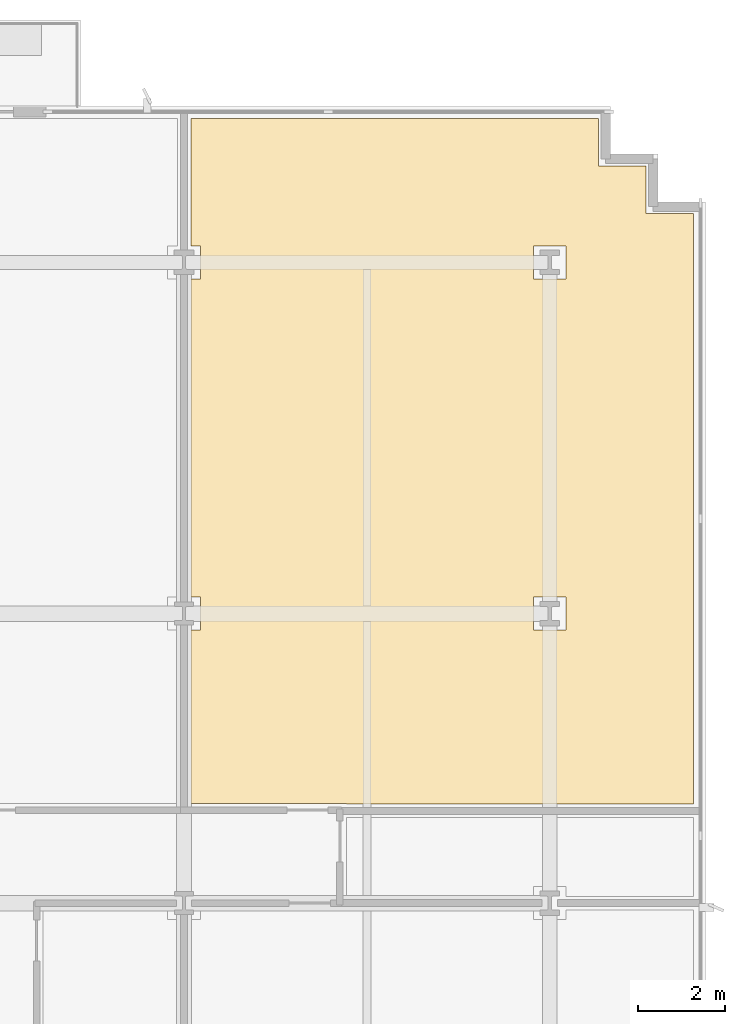
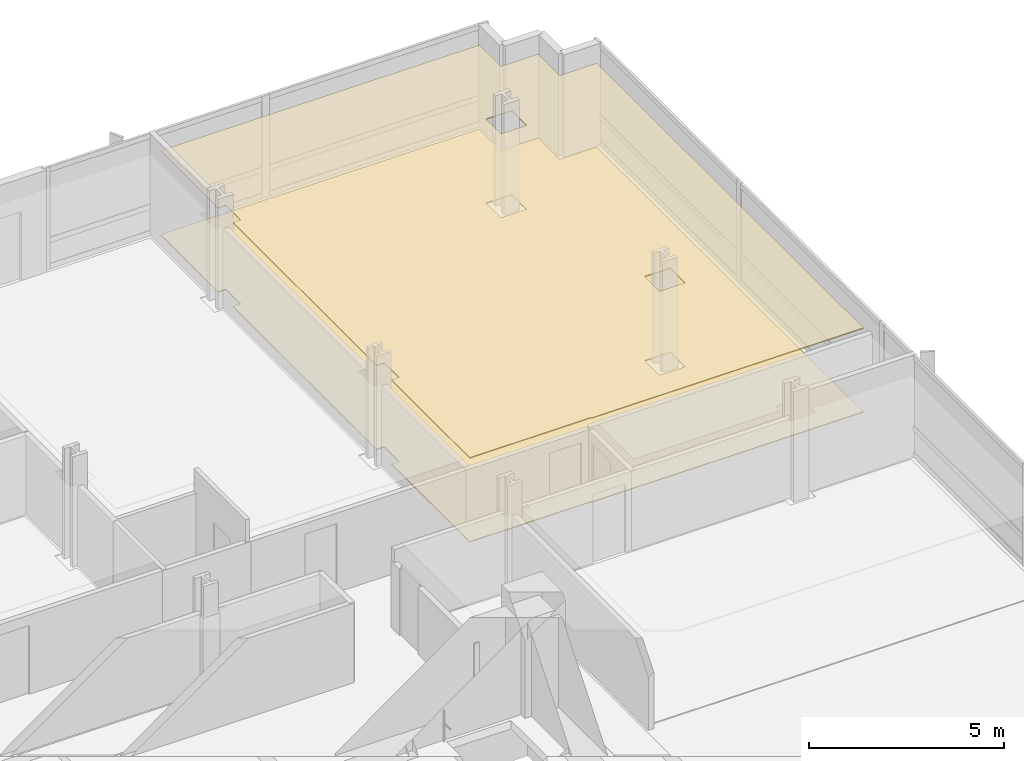
# One storey, part 15 of 16: 2 coverings.
"""IFC4 building model written with IfcOpenShell, lengths in metres."""

import ifcopenshell
import ifcopenshell.guid

model = None  # the IFC model being written
_history = None  # IfcOwnerHistory: only IFC2X3 demands one
_inside = {}  # id of a spatial element -> (the spatial element, [elements in it])
_under = {}  # id of a project, library or spatial element -> (it, [spatial elements below it])
_declared = {}  # id of a project -> (the project, [libraries it declares])
_typed = {}  # id of a type object -> (the type object, [elements of that type])
_made_of = {}  # id of a material, layer set ... -> (it, [elements and type objects made of it])


def new_model(schema):
    """Start an empty IFC model of exactly this schema.

    Asked for "IFC4X3", IfcOpenShell would pick the latest addendum, in which some entities
    have other attributes; the version numbers below select the first issue.
    IFC2X3 requires an IfcOwnerHistory on every rooted entity: one is made here for all.
    """
    global model, _history
    if schema == "IFC4X3":
        model = ifcopenshell.file(schema_version=(4, 3, 0, 0))
    else:
        model = ifcopenshell.file(schema=schema)
    _inside.clear()
    _under.clear()
    _declared.clear()
    _typed.clear()
    _made_of.clear()
    _history = None
    if model.schema == "IFC2X3":
        org = make("IfcOrganization", Name="unknown")
        user = make(
            "IfcPersonAndOrganization",
            ThePerson=make("IfcPerson", FamilyName="unknown"),
            TheOrganization=org,
        )
        app = make(
            "IfcApplication",
            ApplicationDeveloper=org,
            Version="unknown",
            ApplicationFullName="unknown",
            ApplicationIdentifier="unknown",
        )
        _history = make(
            "IfcOwnerHistory",
            OwningUser=user,
            OwningApplication=app,
            ChangeAction="ADDED",
            CreationDate=0,
        )
    return model


def make(cls, **values):
    """One entity of the class cls with the attributes given. An attribute that is None is left unset."""
    return model.create_entity(
        cls, **{name: value for name, value in values.items() if value is not None}
    )


def rooted(cls, **values):
    """An entity with a GlobalId (a new one), such as an element, a storey or a relation."""
    return make(cls, GlobalId=ifcopenshell.guid.new(), OwnerHistory=_history, **values)


def si_unit(unit_type, name, prefix=None):
    """IfcSIUnit, for example si_unit("LENGTHUNIT", "METRE", prefix="MILLI")."""
    return make("IfcSIUnit", UnitType=unit_type, Prefix=prefix, Name=name)


def assignment(units):
    """IfcUnitAssignment: the units of a project."""
    return None if units is None else make("IfcUnitAssignment", Units=units)


def point(xyz):
    """IfcCartesianPoint."""
    return None if xyz is None else make("IfcCartesianPoint", Coordinates=xyz)


def direction(xyz):
    """IfcDirection."""
    return None if xyz is None else make("IfcDirection", DirectionRatios=xyz)


def frame(location, z_axis=None, x_axis=None):
    """IfcAxis2Placement3D, a coordinate frame: its origin and axes. An axis left out is left unset."""
    return make(
        "IfcAxis2Placement3D",
        Location=point(location),
        Axis=direction(z_axis),
        RefDirection=direction(x_axis),
    )


def origin():
    """The frame at (0, 0, 0) with its axes left unset."""
    return frame((0.0, 0.0, 0.0))


def place(relative_to, where):
    """IfcLocalPlacement: puts the frame where relative to a parent placement (None: the world)."""
    return make(
        "IfcLocalPlacement", PlacementRelTo=relative_to, RelativePlacement=where
    )


def context(
    kind, dimensions, precision=None, world=None, true_north=None, identifier=None
):
    """IfcGeometricRepresentationContext, for example the 3D "Model" context."""
    return make(
        "IfcGeometricRepresentationContext",
        ContextIdentifier=identifier,
        ContextType=kind,
        CoordinateSpaceDimension=dimensions,
        Precision=precision,
        WorldCoordinateSystem=world,
        TrueNorth=true_north,
    )


def subcontext(parent, identifier, kind, view, scale=None):
    """IfcGeometricRepresentationSubContext, for example "Body" below "Model"."""
    return make(
        "IfcGeometricRepresentationSubContext",
        ContextIdentifier=identifier,
        ContextType=kind,
        ParentContext=parent,
        TargetScale=scale,
        TargetView=view,
    )


def project(units=None, contexts=None):
    """IfcProject with its units and contexts."""
    return rooted(
        "IfcProject",
        Name="project",
        RepresentationContexts=contexts,
        UnitsInContext=assignment(units),
    )


def spatial(cls, under=None, at=None, **own):
    """A site, building, storey or space (cls), placed at a placement, below another one or the project."""
    s = rooted(cls, ObjectPlacement=at, **own)
    if under is not None:
        _under.setdefault(under.id(), (under, []))[1].append(s)
    return s


def polyline(points):
    """IfcPolyline through the points."""
    return make("IfcPolyline", Points=[point(p) for p in points])


def outline(outer, holes=None, kind="AREA"):
    """IfcArbitraryClosedProfileDef: a profile drawn as a closed curve; with holes, ...WithVoids."""
    if holes is None:
        return make("IfcArbitraryClosedProfileDef", ProfileType=kind, OuterCurve=outer)
    return make(
        "IfcArbitraryProfileDefWithVoids",
        ProfileType=kind,
        OuterCurve=outer,
        InnerCurves=holes,
    )


def extrude(swept, where, along, depth):
    """IfcExtrudedAreaSolid: the profile swept, set in the frame where, extruded along a direction by depth."""
    return make(
        "IfcExtrudedAreaSolid",
        SweptArea=swept,
        Position=where,
        ExtrudedDirection=direction(along),
        Depth=depth,
    )


def shape(context_of_items, identifier, shape_type, items):
    """IfcShapeRepresentation: the items that make up one representation, for example the "Body"."""
    return make(
        "IfcShapeRepresentation",
        ContextOfItems=context_of_items,
        RepresentationIdentifier=identifier,
        RepresentationType=shape_type,
        Items=items,
    )


def material(Name=None, Category=None):
    """IfcMaterial."""
    return make("IfcMaterial", Name=Name, Category=Category)


def layer(
    of_material, thickness, ventilated=None, Name=None, Category=None, Priority=None
):
    """IfcMaterialLayer: one layer of a wall or slab, of a material (None: an air gap)."""
    return make(
        "IfcMaterialLayer",
        Material=of_material,
        LayerThickness=thickness,
        IsVentilated=ventilated,
        Name=Name,
        Category=Category,
        Priority=Priority,
    )


def layer_set(layers, Name=None):
    """IfcMaterialLayerSet."""
    return make("IfcMaterialLayerSet", MaterialLayers=layers, LayerSetName=Name)


def made_of(thing, what):
    """Note that an element or type object is made of a material, layer set ...; save() writes the relation."""
    if what is not None:
        _made_of.setdefault(what.id(), (what, []))[1].append(thing)
    return thing


def type_object(cls, material=None, **own):
    """A type object (cls), such as IfcWallType, which elements share."""
    return made_of(rooted(cls, **own), material)


def element(
    cls,
    number,
    at=None,
    inside=None,
    cuts=None,
    type_object=None,
    material=None,
    context=None,
    identifier="Body",
    shape_type=None,
    held_by="IfcProductDefinitionShape",
    body=None,
    shapes=None,
    **own,
):
    """One element of the class cls, such as IfcWall. Its Tag is "e" and its number.

    at: its placement. inside: the storey or other place that contains it. cuts: it is an
    opening in that element (IfcRelVoidsElement). A single representation is given by context,
    identifier, shape_type and body (its items); several are given by shapes. held_by: the class
    of the entity that holds the representations. save() writes the other relations.
    """
    e = rooted(cls, Tag="e%d" % number, ObjectPlacement=at, **own)
    if body is not None:
        shapes = [shape(context, identifier, shape_type, body)]
    if shapes is not None:
        e.Representation = make(held_by, Representations=shapes)
    if inside is not None:
        _inside.setdefault(inside.id(), (inside, []))[1].append(e)
    if cuts is not None:
        rooted(
            "IfcRelVoidsElement", RelatingBuildingElement=cuts, RelatedOpeningElement=e
        )
    if type_object is not None:
        _typed.setdefault(type_object.id(), (type_object, []))[1].append(e)
    return made_of(e, material)


def aggregate(whole, parts):
    """IfcRelAggregates: a whole, such as a stair, and the parts it consists of."""
    return rooted("IfcRelAggregates", RelatingObject=whole, RelatedObjects=parts)


def save(model, path):
    """Write the relations noted so far, then the file.

    IfcRelAggregates (storeys below a building ...), IfcRelContainedInSpatialStructure (elements
    in a storey), IfcRelDefinesByType, IfcRelAssociatesMaterial and IfcRelDeclares: one each for
    every whole, place, type object, material and project.
    """
    for whole, parts in _under.values():
        aggregate(whole, parts)
    for where, things in _inside.values():
        rooted(
            "IfcRelContainedInSpatialStructure",
            RelatedElements=things,
            RelatingStructure=where,
        )
    for kind, things in _typed.values():
        rooted("IfcRelDefinesByType", RelatedObjects=things, RelatingType=kind)
    for what, things in _made_of.values():
        rooted("IfcRelAssociatesMaterial", RelatedObjects=things, RelatingMaterial=what)
    for by, libraries in _declared.values():
        rooted("IfcRelDeclares", RelatingContext=by, RelatedDefinitions=libraries)
    model.write(path)


model = new_model("IFC4")

# Units and contexts
model_context = context("Model", 3, precision=1e-05, world=origin(), true_north=direction((0.0, 1.0)))
body_context = subcontext(model_context, "Body", "Model", "MODEL_VIEW")
ifc_project = project(units=[si_unit("LENGTHUNIT", "METRE"), si_unit("AREAUNIT", "SQUARE_METRE"), si_unit("VOLUMEUNIT", "CUBIC_METRE"), si_unit("PLANEANGLEUNIT", "RADIAN"), si_unit("MASSUNIT", "GRAM", prefix="KILO")], contexts=[model_context])

# Site, building, storey
site_placement = place(None, origin())
site = spatial("IfcSite", under=ifc_project, at=site_placement, CompositionType="ELEMENT")
building_placement = place(site_placement, origin())
building = spatial("IfcBuilding", under=site, at=building_placement, Name="Solmavex Isthmus Hotel", CompositionType="ELEMENT")
storey_placement = place(building_placement, frame((0.0, 0.0, 29.85009765625)))
storey = spatial("IfcBuildingStorey", under=building, at=storey_placement, Name="L07", CompositionType="ELEMENT", Elevation=29.85009765625)

# Coverings
ifc_material_1 = material(Name="Gypsum plasterboard lining", Category="gypsum")
ifc_layer_1 = layer(ifc_material_1, 0.030029296875)
ifc_layer_set_1 = layer_set([ifc_layer_1], Name="Gypsum plasterboard lining")
covering_type_1 = type_object("IfcCoveringType", Name="COV-CEIL-GYP", PredefinedType="CEILING", material=ifc_layer_set_1)
covering_1_placement = place(storey_placement, frame((0.0, 0.0, 2.619873046875)))
element("IfcCovering", 1, at=covering_1_placement, inside=storey, type_object=covering_type_1, Name="Suspended Acoustic Ceiling L07-RM07", PredefinedType="CEILING", context=body_context, shape_type="SweptSolid", body=[
    extrude(outline(polyline([(18.10693359375, 9.16796875), (18.33203125, 9.16796875), (18.33203125, 8.407958984375), (18.10693359375, 8.407958984375), (18.10693359375, 4.405029296875), (21.70703125, 4.405029296875), (21.70703125, 4.385009765625), (29.72509765625, 4.385009765625), (29.72509765625, 18.02490234375), (28.625, 18.02490234375), (28.625, 19.125), (27.52490234375, 19.125), (27.52490234375, 20.22509765625), (18.10693359375, 20.22509765625), (18.10693359375, 17.280029296875), (18.33203125, 17.280029296875), (18.33203125, 16.52001953125), (18.10693359375, 16.52001953125), (18.10693359375, 9.16796875)]), holes=[polyline([(26.02001953125, 8.407958984375), (26.02001953125, 9.16796875), (26.780029296875, 9.16796875), (26.780029296875, 8.407958984375), (26.02001953125, 8.407958984375)]), polyline([(26.02001953125, 16.52001953125), (26.02001953125, 17.280029296875), (26.780029296875, 17.280029296875), (26.780029296875, 16.52001953125), (26.02001953125, 16.52001953125)])]), origin(), (0.0, 0.0, 1.0), 0.030029296875),
])
ifc_material_2 = material(Name="Travertine natural stone", Category="masonry")
ifc_layer_2 = layer(ifc_material_2, 0.02490234375)
ifc_layer_set_2 = layer_set([ifc_layer_2], Name="Travertine natural stone")
covering_type_2 = type_object("IfcCoveringType", Name="COV-FLOR-STN", PredefinedType="FLOORING", material=ifc_layer_set_2)
covering_2_placement = place(storey_placement, origin())
element("IfcCovering", 2, at=covering_2_placement, inside=storey, type_object=covering_type_2, Name="Stone and Timber Floor Finish L07-RM07", PredefinedType="FLOORING", context=body_context, shape_type="SweptSolid", body=[
    extrude(outline(polyline([(18.10693359375, 9.16796875), (18.33203125, 9.16796875), (18.33203125, 8.407958984375), (18.10693359375, 8.407958984375), (18.10693359375, 4.405029296875), (21.70703125, 4.405029296875), (21.70703125, 4.385009765625), (29.72509765625, 4.385009765625), (29.72509765625, 18.02490234375), (28.625, 18.02490234375), (28.625, 19.125), (27.52490234375, 19.125), (27.52490234375, 20.22509765625), (18.10693359375, 20.22509765625), (18.10693359375, 17.280029296875), (18.33203125, 17.280029296875), (18.33203125, 16.52001953125), (18.10693359375, 16.52001953125), (18.10693359375, 9.16796875)]), holes=[polyline([(26.02001953125, 8.407958984375), (26.02001953125, 9.16796875), (26.780029296875, 9.16796875), (26.780029296875, 8.407958984375), (26.02001953125, 8.407958984375)]), polyline([(26.02001953125, 16.52001953125), (26.02001953125, 17.280029296875), (26.780029296875, 17.280029296875), (26.780029296875, 16.52001953125), (26.02001953125, 16.52001953125)])]), origin(), (0.0, 0.0, 1.0), 0.02490234375),
])

save(model, "model.ifc")
